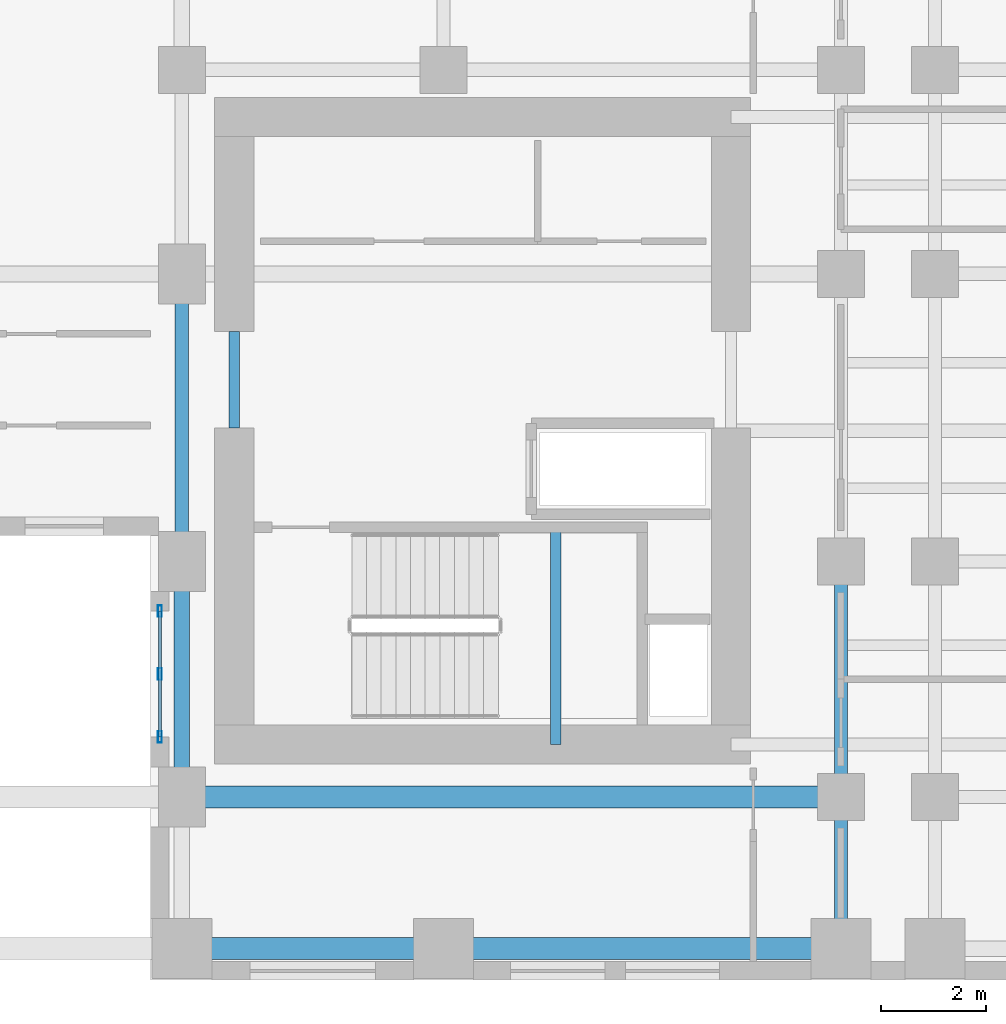
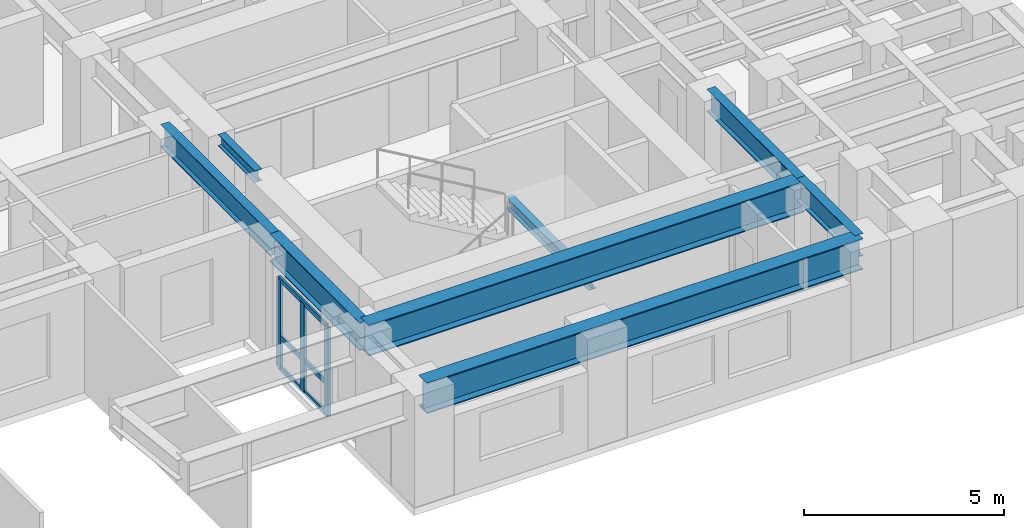
# One storey, part 3 of 14: 8 beams, 6 members, 1 element without a shape of its own.
"""IFC4 building model written with IfcOpenShell, lengths in metres."""

from ifc_helpers import new_model, si_unit, direction, frame, origin, origin_2d, place, context, subcontext, project, spatial, hollow_rectangle, i_section, extrude, source, transform, mapped, material, layer, layer_set, material_profile, profile_set, type_object, element, aggregate, save


model = new_model("IFC4")

# Units and contexts
model_context = context("Model", 3, precision=1e-05, world=origin(), true_north=direction((0.0, 1.0)))
body_context = subcontext(model_context, "Body", "Model", "MODEL_VIEW")
ifc_project = project(units=[si_unit("LENGTHUNIT", "METRE"), si_unit("AREAUNIT", "SQUARE_METRE"), si_unit("VOLUMEUNIT", "CUBIC_METRE"), si_unit("PLANEANGLEUNIT", "RADIAN"), si_unit("MASSUNIT", "GRAM", prefix="KILO")], contexts=[model_context])

# Site, building, storey
site_placement = place(None, origin())
site = spatial("IfcSite", under=ifc_project, at=site_placement, CompositionType="ELEMENT")
building_placement = place(site_placement, origin())
building = spatial("IfcBuilding", under=site, at=building_placement, Name="Kharzan Plaza Tower", CompositionType="ELEMENT")
storey_placement = place(building_placement, frame((0.0, 0.0, 88.199951171875)))
storey = spatial("IfcBuildingStorey", under=building, at=storey_placement, Name="L23", CompositionType="ELEMENT", Elevation=88.199951171875)

# Beams
ifc_material_1 = material(Name="Steel S355", Category="steel")
ifc_material_profile_1 = material_profile(ifc_material_1, i_section(OverallWidth=0.205078125, OverallDepth=0.35400390625, WebThickness=0.009521484375, FlangeThickness=0.016845703125, at=origin_2d()), Name="W360x79")
ifc_profile_set_1 = profile_set([ifc_material_profile_1], Name="Steel S355")
beam_type_1 = type_object("IfcBeamType", Name="BM-LNT360", PredefinedType="LINTEL", material=ifc_profile_set_1)
shared_shape_1 = source(origin(), body_context, "Body", "SweptSolid", [
    extrude(i_section(OverallWidth=0.205078125, OverallDepth=0.35400390625, WebThickness=0.009521484375, FlangeThickness=0.016845703125, at=origin_2d()), origin(), (0.0, 0.0, 1.0), 1.849853515625),
])
beam_1_placement = place(storey_placement, frame((36.0, 10.550048828125, 3.203125), z_axis=(0.0, 1.0, 0.0), x_axis=(-1.0, 0.0, 0.0)))
element("IfcBeam", 1, at=beam_1_placement, inside=storey, type_object=beam_type_1, Name="L23 CORE-B coupling lintel LN1-WW", PredefinedType="LINTEL", context=body_context, shape_type="MappedRepresentation", body=[
    mapped(shared_shape_1, transform((0.0, 0.0, 0.0), x_axis=(1.0, 0.0, 0.0), y_axis=(0.0, 1.0, 0.0), z_axis=(0.0, 0.0, 1.0))),
])
shared_shape_2 = source(origin(), body_context, "Body", "SweptSolid", [
    extrude(i_section(OverallWidth=0.205078125, OverallDepth=0.35400390625, WebThickness=0.009521484375, FlangeThickness=0.016845703125, at=origin_2d()), origin(), (0.0, 0.0, 1.0), 4.155029296875),
])
beam_2_placement = place(storey_placement, frame((42.14990234375, 4.5, 1.423095703125), z_axis=(0.0, 1.0, 0.0), x_axis=(-1.0, 0.0, 0.0)))
element("IfcBeam", 2, at=beam_2_placement, inside=storey, type_object=beam_type_1, Name="L23 Stair ST-3 Half-Landing Beam", PredefinedType="LINTEL", context=body_context, shape_type="MappedRepresentation", body=[
    mapped(shared_shape_2, transform((0.0, 0.0, 0.0), x_axis=(1.0, 0.0, 0.0), y_axis=(0.0, 1.0, 0.0), z_axis=(0.0, 0.0, 1.0))),
])

# Curtain wall, members
ifc_material_2 = material(Name="Unitised Bronze-Anodized Aluminium and Low-E Glass", Category="aluminium")
ifc_layer = layer(ifc_material_2, 0.199951171875)
ifc_layer_set = layer_set([ifc_layer], Name="Unitised Bronze-Anodized Aluminium and Low-E Glass")
curtain_wall_type = type_object("IfcCurtainWallType", Name="CW-SLOT-3", PredefinedType="NOTDEFINED", material=ifc_layer_set)
curtain_wall_placement = place(storey_placement, origin())
curtain_wall = element("IfcCurtainWall", 3, at=curtain_wall_placement, inside=storey, type_object=curtain_wall_type, Name="L23 East Slot Recessed Spine Curtain Wall", PredefinedType="NOTDEFINED")
ifc_material_3 = material(Name="Anodized Bronze Aluminium", Category="aluminium")
ifc_material_profile_2 = material_profile(ifc_material_3, hollow_rectangle(XDim=0.074951171875, YDim=0.219970703125, WallThickness=0.00390625, at=origin_2d()), Name="ALU-M220x75x4")
ifc_profile_set_2 = profile_set([ifc_material_profile_2], Name="Anodized Bronze Aluminium")
member_type_1 = type_object("IfcMemberType", Name="MEM-CW-MUL200", PredefinedType="MULLION", material=ifc_profile_set_2)
shared_shape_3 = source(origin(), body_context, "Body", "SweptSolid", [
    extrude(hollow_rectangle(XDim=0.074951171875, YDim=0.219970703125, WallThickness=0.00390625, at=origin_2d()), origin(), (0.0, 0.0, 1.0), 2.699951171875),
])
member_1_placement = place(storey_placement, frame((34.580078125, 4.64990234375, 0.0), z_axis=(0.0, 0.0, 1.0), x_axis=(1.0, 0.0, 0.0)))
member_1 = element("IfcMember", 4, at=member_1_placement, type_object=member_type_1, Name="L23 Curtain-Wall Mullion 00", PredefinedType="MULLION", context=body_context, shape_type="MappedRepresentation", body=[
    mapped(shared_shape_3, transform((0.0, 0.0, 0.0), x_axis=(1.0, 0.0, 0.0), y_axis=(0.0, 1.0, 0.0), z_axis=(0.0, 0.0, 1.0))),
])
member_2_placement = place(storey_placement, frame((34.580078125, 5.85009765625, 0.0), z_axis=(0.0, 0.0, 1.0), x_axis=(1.0, 0.0, 0.0)))
member_2 = element("IfcMember", 5, at=member_2_placement, type_object=member_type_1, Name="L23 Curtain-Wall Mullion 01", PredefinedType="MULLION", context=body_context, shape_type="MappedRepresentation", body=[
    mapped(shared_shape_3, transform((0.0, 0.0, 0.0), x_axis=(1.0, 0.0, 0.0), y_axis=(0.0, 1.0, 0.0), z_axis=(0.0, 0.0, 1.0))),
])
member_3_placement = place(storey_placement, frame((34.580078125, 7.050048828125, 0.0), z_axis=(0.0, 0.0, 1.0), x_axis=(1.0, 0.0, 0.0)))
member_3 = element("IfcMember", 6, at=member_3_placement, type_object=member_type_1, Name="L23 Curtain-Wall Mullion 02", PredefinedType="MULLION", context=body_context, shape_type="MappedRepresentation", body=[
    mapped(shared_shape_3, transform((0.0, 0.0, 0.0), x_axis=(1.0, 0.0, 0.0), y_axis=(0.0, 1.0, 0.0), z_axis=(0.0, 0.0, 1.0))),
])

# Beams
ifc_material_profile_3 = material_profile(ifc_material_1, i_section(OverallWidth=0.41796875, OverallDepth=0.93701171875, WebThickness=0.019287109375, FlangeThickness=0.031982421875, at=origin_2d()), Name="W920x342")
ifc_profile_set_3 = profile_set([ifc_material_profile_3], Name="Steel S355")
beam_type_2 = type_object("IfcBeamType", Name="BM-ZTB920", PredefinedType="BEAM", material=ifc_profile_set_3)
shared_shape_4 = source(origin(), body_context, "Body", "SweptSolid", [
    extrude(i_section(OverallWidth=0.41796875, OverallDepth=0.93701171875, WebThickness=0.019287109375, FlangeThickness=0.031982421875, at=origin_2d()), origin(), (0.0, 0.0, 1.0), 12.60009765625),
])
for number, where, z_axis, x_axis, name in (
    (7, (47.60009765625, 0.60009765625, 2.91162109375), (-1.0, 0.0, 0.0), (0.0, -1.0, 0.0), "L23 Sky-Terrace Back-Span Girder ZTB1 (L24 G1)"),
    (8, (47.60009765625, 3.5, 2.91162109375), (-1.0, 0.0, 0.0), (0.0, -1.0, 0.0), "L23 Sky-Terrace Back-Span Girder ZTB1 (L24 G2)"),
):
    element("IfcBeam", number, at=place(storey_placement, frame(where, z_axis=z_axis, x_axis=x_axis)), inside=storey, type_object=beam_type_2, Name=name, PredefinedType="BEAM", context=body_context, shape_type="MappedRepresentation", body=[
        mapped(shared_shape_4, transform((0.0, 0.0, 0.0), x_axis=(1.0, 0.0, 0.0), y_axis=(0.0, 1.0, 0.0), z_axis=(0.0, 0.0, 1.0))),
    ])

# Member
ifc_material_profile_4 = material_profile(ifc_material_3, hollow_rectangle(XDim=0.06005859375, YDim=0.14990234375, WallThickness=0.00341796875, at=origin_2d()), Name="ALU-T150x60x3.5")
ifc_profile_set_4 = profile_set([ifc_material_profile_4], Name="Anodized Bronze Aluminium")
member_type_2 = type_object("IfcMemberType", Name="MEM-CW-TRN150", PredefinedType="USERDEFINED", material=ifc_profile_set_4)
shared_shape_5 = source(origin(), body_context, "Body", "SweptSolid", [
    extrude(hollow_rectangle(XDim=0.06005859375, YDim=0.14990234375, WallThickness=0.00341796875, at=origin_2d()), origin(), (0.0, 0.0, 1.0), 2.400146484375),
])
member_4_placement = place(storey_placement, frame((34.580078125, 4.64990234375, 0.0), z_axis=(0.0, 1.0, 0.0), x_axis=(-1.0, 0.0, 0.0)))
member_4 = element("IfcMember", 9, at=member_4_placement, type_object=member_type_2, Name="L23 Curtain-Wall Transom 1", ObjectType="TRANSOM", PredefinedType="USERDEFINED", context=body_context, shape_type="MappedRepresentation", body=[
    mapped(shared_shape_5, transform((0.0, 0.0, 0.0), x_axis=(1.0, 0.0, 0.0), y_axis=(0.0, 1.0, 0.0), z_axis=(0.0, 0.0, 1.0))),
])

member_5_placement = place(storey_placement, frame((34.580078125, 4.64990234375, 0.949951171875), z_axis=(0.0, 1.0, 0.0), x_axis=(-1.0, 0.0, 0.0)))
member_5 = element("IfcMember", 10, at=member_5_placement, type_object=member_type_2, Name="L23 Curtain-Wall Transom 2", ObjectType="TRANSOM", PredefinedType="USERDEFINED", context=body_context, shape_type="MappedRepresentation", body=[
    mapped(shared_shape_5, transform((0.0, 0.0, 0.0), x_axis=(1.0, 0.0, 0.0), y_axis=(0.0, 1.0, 0.0), z_axis=(0.0, 0.0, 1.0))),
])

member_6_placement = place(storey_placement, frame((34.580078125, 4.64990234375, 2.699951171875), z_axis=(0.0, 1.0, 0.0), x_axis=(-1.0, 0.0, 0.0)))
member_6 = element("IfcMember", 11, at=member_6_placement, type_object=member_type_2, Name="L23 Curtain-Wall Transom 3", ObjectType="TRANSOM", PredefinedType="USERDEFINED", context=body_context, shape_type="MappedRepresentation", body=[
    mapped(shared_shape_5, transform((0.0, 0.0, 0.0), x_axis=(1.0, 0.0, 0.0), y_axis=(0.0, 1.0, 0.0), z_axis=(0.0, 0.0, 1.0))),
])

aggregate(curtain_wall, [member_1, member_2, member_3, member_4, member_5, member_6])

# Beams
ifc_material_profile_5 = material_profile(ifc_material_1, i_section(OverallWidth=0.25390625, OverallDepth=0.68798828125, WebThickness=0.01318359375, FlangeThickness=0.02099609375, at=origin_2d()), Name="W690x152")
ifc_profile_set_5 = profile_set([ifc_material_profile_5], Name="Steel S355")
beam_type_3 = type_object("IfcBeamType", Name="BM-FG690B", PredefinedType="BEAM", material=ifc_profile_set_5)
shared_shape_6 = source(origin(), body_context, "Body", "SweptSolid", [
    extrude(i_section(OverallWidth=0.25390625, OverallDepth=0.68798828125, WebThickness=0.01318359375, FlangeThickness=0.02099609375, at=origin_2d()), origin(), (0.0, 0.0, 1.0), 4.5),
])
beam_3_placement = place(storey_placement, frame((47.60009765625, 3.5, 3.0361328125), z_axis=(0.0, 1.0, 0.0), x_axis=(-1.0, 0.0, 0.0)))
element("IfcBeam", 12, at=beam_3_placement, inside=storey, type_object=beam_type_3, Name="L23 Interior Frame Girder", PredefinedType="BEAM", context=body_context, shape_type="MappedRepresentation", body=[
    mapped(shared_shape_6, transform((0.0, 0.0, 0.0), x_axis=(1.0, 0.0, 0.0), y_axis=(0.0, 1.0, 0.0), z_axis=(0.0, 0.0, 1.0))),
])
shared_shape_7 = source(origin(), body_context, "Body", "SweptSolid", [
    extrude(i_section(OverallWidth=0.25390625, OverallDepth=0.68798828125, WebThickness=0.01318359375, FlangeThickness=0.02099609375, at=origin_2d()), origin(), (0.0, 0.0, 1.0), 5.5),
])
beam_4_placement = place(storey_placement, frame((35.0, 8.0, 3.0361328125), z_axis=(0.0, 1.0, 0.0), x_axis=(-1.0, 0.0, 0.0)))
element("IfcBeam", 13, at=beam_4_placement, inside=storey, type_object=beam_type_3, Name="L23 Interior Frame Girder", PredefinedType="BEAM", context=body_context, shape_type="MappedRepresentation", body=[
    mapped(shared_shape_7, transform((0.0, 0.0, 0.0), x_axis=(1.0, 0.0, 0.0), y_axis=(0.0, 1.0, 0.0), z_axis=(0.0, 0.0, 1.0))),
])
shared_shape_8 = source(origin(), body_context, "Body", "SweptSolid", [
    extrude(i_section(OverallWidth=0.25390625, OverallDepth=0.68798828125, WebThickness=0.01318359375, FlangeThickness=0.02099609375, at=origin_2d()), origin(), (0.0, 0.0, 1.0), 2.89990234375),
])
beam_5_placement = place(storey_placement, frame((47.60009765625, 0.60009765625, 3.0361328125), z_axis=(0.0, 1.0, 0.0), x_axis=(-1.0, 0.0, 0.0)))
element("IfcBeam", 14, at=beam_5_placement, inside=storey, type_object=beam_type_3, Name="L23 Interior Frame Girder", PredefinedType="BEAM", context=body_context, shape_type="MappedRepresentation", body=[
    mapped(shared_shape_8, transform((0.0, 0.0, 0.0), x_axis=(1.0, 0.0, 0.0), y_axis=(0.0, 1.0, 0.0), z_axis=(0.0, 0.0, 1.0))),
])
ifc_material_profile_6 = material_profile(ifc_material_1, i_section(OverallWidth=0.299072265625, OverallDepth=0.845947265625, WebThickness=0.015380859375, FlangeThickness=0.0244140625, at=origin_2d()), Name="W840x210")
ifc_profile_set_6 = profile_set([ifc_material_profile_6], Name="Steel S355")
beam_type_4 = type_object("IfcBeamType", Name="BM-SP840B", PredefinedType="SPANDREL", material=ifc_profile_set_6)
shared_shape_9 = source(origin(), body_context, "Body", "SweptSolid", [
    extrude(i_section(OverallWidth=0.299072265625, OverallDepth=0.845947265625, WebThickness=0.015380859375, FlangeThickness=0.0244140625, at=origin_2d()), origin(), (0.0, 0.0, 1.0), 4.5),
])
beam_6_placement = place(storey_placement, frame((35.0, 3.5, 2.95703125), z_axis=(0.0, 1.0, 0.0), x_axis=(-1.0, 0.0, 0.0)))
element("IfcBeam", 15, at=beam_6_placement, inside=storey, type_object=beam_type_4, Name="L23 Perimeter Tube Spandrel", PredefinedType="SPANDREL", context=body_context, shape_type="MappedRepresentation", body=[
    mapped(shared_shape_9, transform((0.0, 0.0, 0.0), x_axis=(1.0, 0.0, 0.0), y_axis=(0.0, 1.0, 0.0), z_axis=(0.0, 0.0, 1.0))),
])

save(model, "model.ifc")
